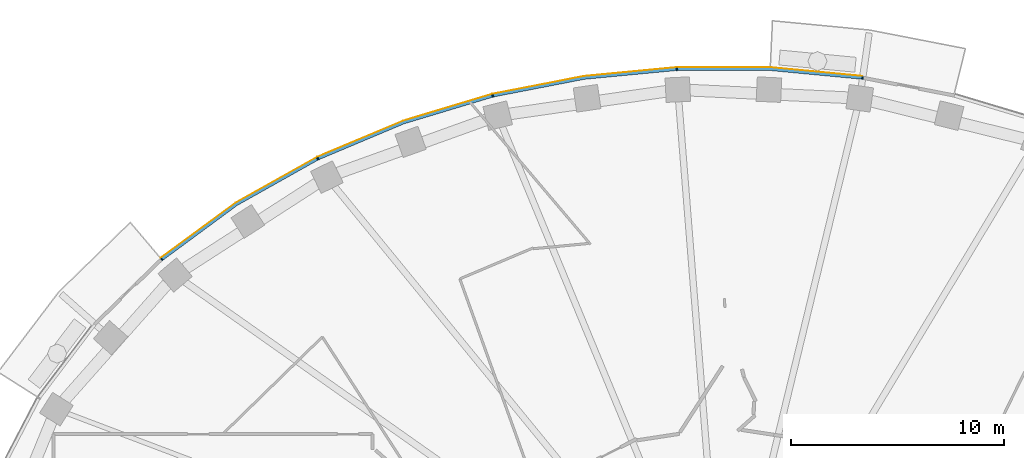
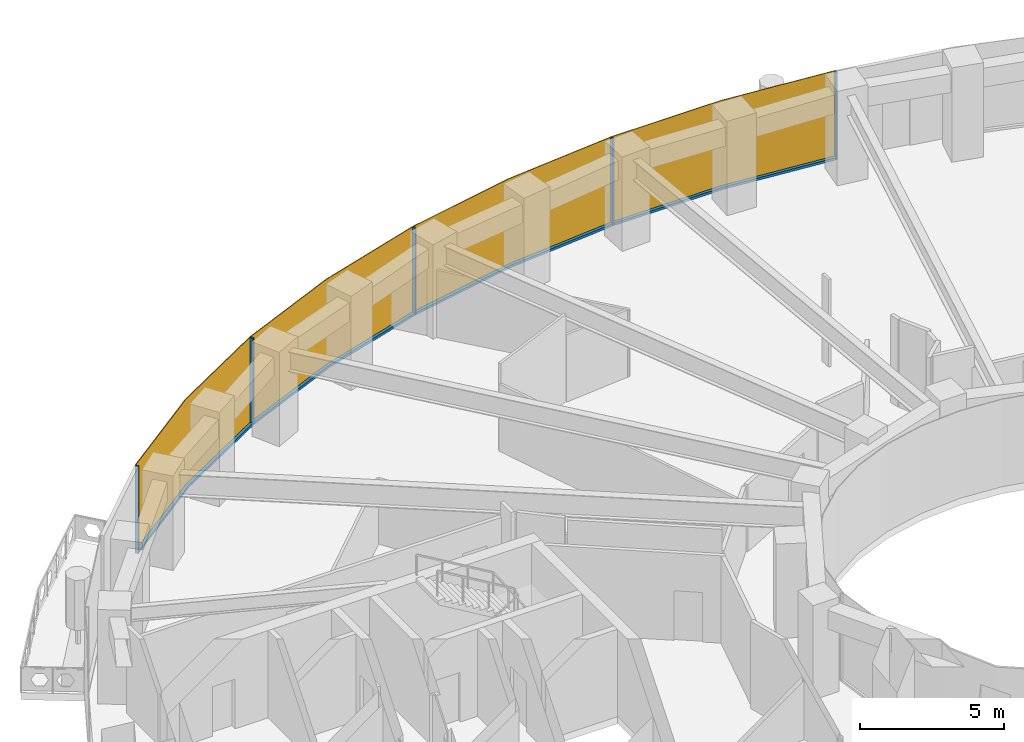
# One storey, part 12 of 17: 9 members, 1 curtain wall.
"""IFC4 building model written with IfcOpenShell, lengths in metres."""

from ifc_helpers import new_model, si_unit, direction, frame, origin, origin_2d, place, context, subcontext, project, spatial, polyline, rectangle, outline, extrude, material, layer, layer_set, material_profile, profile_set, type_object, element, aggregate, save


model = new_model("IFC4")

# Units and contexts
model_context = context("Model", 3, precision=1e-05, world=origin(), true_north=direction((0.0, 1.0)))
body_context = subcontext(model_context, "Body", "Model", "MODEL_VIEW")
ifc_project = project(units=[si_unit("LENGTHUNIT", "METRE"), si_unit("AREAUNIT", "SQUARE_METRE"), si_unit("VOLUMEUNIT", "CUBIC_METRE"), si_unit("PLANEANGLEUNIT", "RADIAN"), si_unit("MASSUNIT", "GRAM", prefix="KILO")], contexts=[model_context])

# Member
ifc_material_1 = material(Name="Aluminium 6063-T6 black anodised", Category="aluminium")
ifc_material_profile = material_profile(ifc_material_1, rectangle(XDim=0.1201171875, YDim=0.06005859375, at=origin_2d()), Name="120x60")
ifc_profile_set = profile_set([ifc_material_profile], Name="Aluminium 6063-T6 black anodised")
member_type_1 = type_object("IfcMemberType", Name="ENV-MULLION-A-120", PredefinedType="MULLION", material=ifc_profile_set)
site_placement = place(None, origin())
building_placement = place(site_placement, origin())
storey_placement = place(building_placement, frame((0.0, 0.0, 190.0)))
member_1_placement = place(storey_placement, frame((6.54638671875, 27.440185546875, 0.0), z_axis=(0.0, 0.0, 1.0), x_axis=(-0.143082012705, -0.989710835366, 0.0)))
member_1 = element("IfcMember", 1, at=member_1_placement, type_object=member_type_1, Name="Mullion A radial 11", PredefinedType="MULLION", context=body_context, shape_type="SweptSolid", body=[
    extrude(rectangle(XDim=0.1201171875, YDim=0.06005859375, at=origin_2d()), origin(), (0.0, 0.0, 1.0), 3.699951171875),
])

member_2_placement = place(storey_placement, frame((-2.188720703125, 27.856201171875, 0.0), z_axis=(0.0, 0.0, 1.0), x_axis=(0.047557873581, -0.998868484166, 0.0)))
member_2 = element("IfcMember", 2, at=member_2_placement, type_object=member_type_1, Name="Mullion A radial 13", PredefinedType="MULLION", context=body_context, shape_type="SweptSolid", body=[
    extrude(rectangle(XDim=0.1201171875, YDim=0.06005859375, at=origin_2d()), origin(), (0.0, 0.0, 1.0), 3.699951171875),
])

member_3_placement = place(storey_placement, frame((-10.84326171875, 26.60498046875, 0.0), z_axis=(0.0, 0.0, 1.0), x_axis=(0.239799081534, -0.970822538106, 0.0)))
member_3 = element("IfcMember", 3, at=member_3_placement, type_object=member_type_1, Name="Mullion A radial 15", PredefinedType="MULLION", context=body_context, shape_type="SweptSolid", body=[
    extrude(rectangle(XDim=0.1201171875, YDim=0.06005859375, at=origin_2d()), origin(), (0.0, 0.0, 1.0), 3.699951171875),
])

member_4_placement = place(storey_placement, frame((-19.06787109375, 23.6474609375, 0.0), z_axis=(0.0, 0.0, 1.0), x_axis=(0.439237769837, -0.898370848563, 0.0)))
member_4 = element("IfcMember", 4, at=member_4_placement, type_object=member_type_1, Name="Mullion A radial 17", PredefinedType="MULLION", context=body_context, shape_type="SweptSolid", body=[
    extrude(rectangle(XDim=0.1201171875, YDim=0.06005859375, at=origin_2d()), origin(), (0.0, 0.0, 1.0), 3.699951171875),
])

member_5_placement = place(storey_placement, frame((-26.403564453125, 18.9130859375, 0.0), z_axis=(0.0, 0.0, 1.0), x_axis=(0.646451313783, -0.762955240435, 0.0)))
member_5 = element("IfcMember", 5, at=member_5_placement, type_object=member_type_1, Name="Mullion A radial 19", PredefinedType="MULLION", context=body_context, shape_type="SweptSolid", body=[
    extrude(rectangle(XDim=0.1201171875, YDim=0.06005859375, at=origin_2d()), origin(), (0.0, 0.0, 1.0), 3.699951171875),
])

ifc_material_2 = material(Name="Aluminium 6063-T6 black anodised", Category="aluminium")
member_type_2 = type_object("IfcMemberType", Name="ENV-TRANSOM-A", PredefinedType="USERDEFINED", material=ifc_material_2)
member_6_placement = place(storey_placement, origin())
member_6 = element("IfcMember", 6, at=member_6_placement, type_object=member_type_2, Name="Transom A radial 11-13", ObjectType="TRANSOM", PredefinedType="USERDEFINED", context=body_context, shape_type="SweptSolid", body=[
    extrude(outline(polyline([(6.527099609375, 27.502197265625), (2.191650390625, 27.916015625), (-2.163818359375, 27.916015625), (-2.157958984375, 27.7958984375), (2.185791015625, 27.7958984375), (6.510009765625, 27.38330078125), (6.527099609375, 27.502197265625)])), origin(), (0.0, 0.0, 1.0), 0.10009765625),
])

member_7_placement = place(storey_placement, origin())
member_7 = element("IfcMember", 7, at=member_7_placement, type_object=member_type_2, Name="Transom A radial 13-15", ObjectType="TRANSOM", PredefinedType="USERDEFINED", context=body_context, shape_type="SweptSolid", body=[
    extrude(outline(polyline([(-2.219482421875, 27.913330078125), (-6.55517578125, 27.49951171875), (-10.830078125, 26.66845703125), (-10.80126953125, 26.552001953125), (-6.537841796875, 27.380615234375), (-2.2138671875, 27.793212890625), (-2.219482421875, 27.913330078125)])), origin(), (0.0, 0.0, 1.0), 0.10009765625),
])

member_8_placement = place(storey_placement, origin())
member_8 = element("IfcMember", 8, at=member_8_placement, type_object=member_type_2, Name="Transom A radial 15-17", ObjectType="TRANSOM", PredefinedType="USERDEFINED", context=body_context, shape_type="SweptSolid", body=[
    extrude(outline(polyline([(-10.884521484375, 26.655029296875), (-15.054443359375, 25.400146484375), (-19.068359375, 23.71240234375), (-19.015380859375, 23.604248046875), (-15.013916015625, 25.287109375), (-10.855712890625, 26.53857421875), (-10.884521484375, 26.655029296875)])), origin(), (0.0, 0.0, 1.0), 0.10009765625),
])

member_9_placement = place(storey_placement, origin())
member_9 = element("IfcMember", 9, at=member_9_placement, type_object=member_type_2, Name="Transom A radial 17-19", ObjectType="TRANSOM", PredefinedType="USERDEFINED", context=body_context, shape_type="SweptSolid", body=[
    extrude(outline(polyline([(-19.11865234375, 23.687744140625), (-22.9150390625, 21.556884765625), (-26.419921875, 18.975341796875), (-26.342041015625, 18.883544921875), (-22.85009765625, 21.455810546875), (-19.06591796875, 23.57958984375), (-19.11865234375, 23.687744140625)])), origin(), (0.0, 0.0, 1.0), 0.10009765625),
])

# Site, building, storey
site = spatial("IfcSite", under=ifc_project, at=site_placement, CompositionType="ELEMENT")
building = spatial("IfcBuilding", under=site, at=building_placement, Name="Noorbagh Ring Tower", CompositionType="ELEMENT")
storey = spatial("IfcBuildingStorey", under=building, at=storey_placement, Name="L44", CompositionType="ELEMENT", Elevation=190.0)

# Curtain wall
ifc_material_3 = material(Name="Glass dark tinted laminated", Category="glass")
ifc_layer = layer(ifc_material_3, 0.031982421875)
ifc_layer_set = layer_set([ifc_layer], Name="Glass dark tinted laminated")
curtain_wall_type = type_object("IfcCurtainWallType", Name="ENV-CW-A", PredefinedType="NOTDEFINED", material=ifc_layer_set)
curtain_wall_placement = place(storey_placement, origin())
curtain_wall = element("IfcCurtainWall", 10, at=curtain_wall_placement, inside=storey, type_object=curtain_wall_type, Name="Curtain wall A R11", PredefinedType="NOTDEFINED", context=body_context, shape_type="SweptSolid", body=[
    extrude(outline(polyline([(6.539794921875, 27.533203125), (2.193115234375, 27.947998046875), (-2.193115234375, 27.947998046875), (-6.559814453125, 27.53125), (-10.865234375, 26.6943359375), (-15.065185546875, 25.430419921875), (-19.108154296875, 23.730224609375), (-22.9326171875, 21.583740234375), (-26.447021484375, 18.9951171875), (-26.42626953125, 18.970703125), (-22.9150390625, 21.556884765625), (-19.093994140625, 23.701416015625), (-15.054443359375, 25.400146484375), (-10.857666015625, 26.6630859375), (-6.55517578125, 27.49951171875), (-2.191650390625, 27.916015625), (2.191650390625, 27.916015625), (6.53515625, 27.50146484375), (6.539794921875, 27.533203125)])), origin(), (0.0, 0.0, 1.0), 3.699951171875),
])

aggregate(curtain_wall, [member_1, member_2, member_3, member_4, member_5, member_6, member_7, member_8, member_9])

save(model, "model.ifc")
